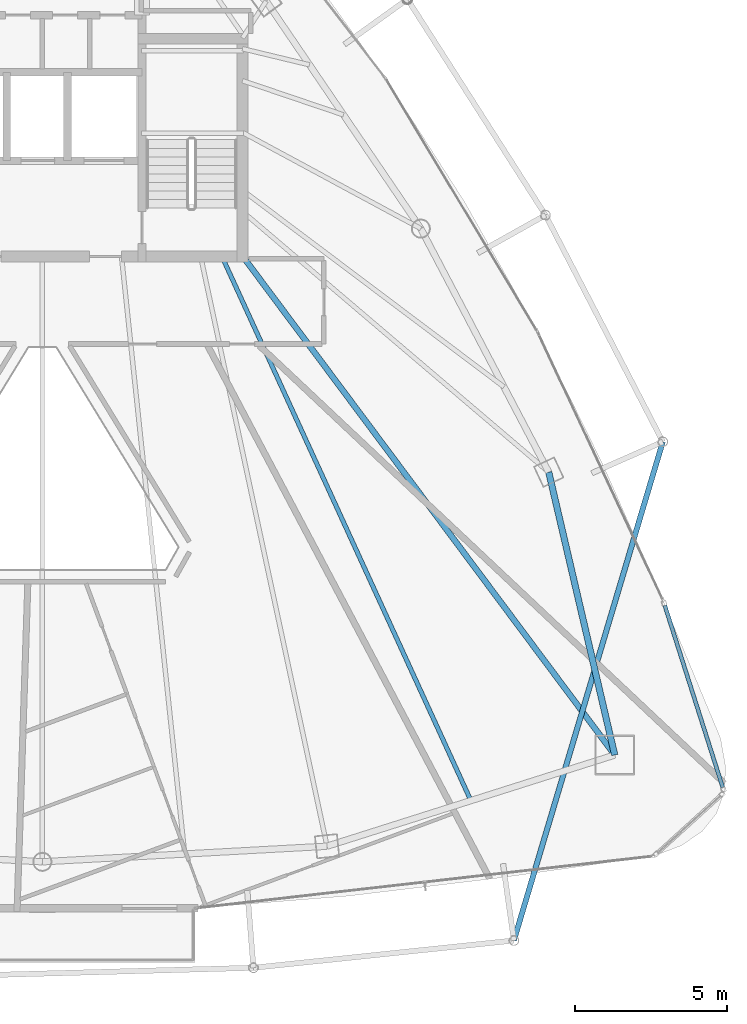
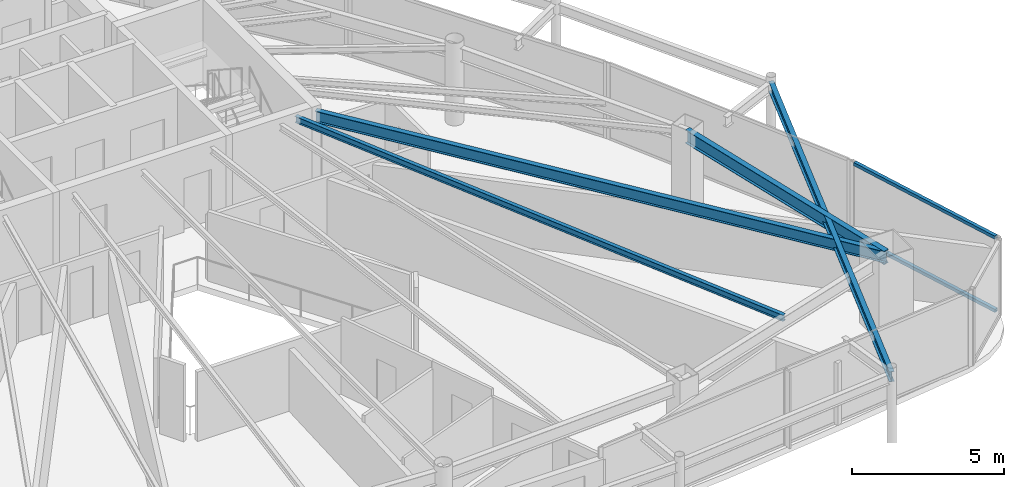
# One storey, part 15 of 29: 4 beams, 2 members, 1 element without a shape of its own.
"""IFC4 building model written with IfcOpenShell, lengths in metres."""

from ifc_helpers import new_model, si_unit, direction, frame, origin, origin_2d, place, context, subcontext, project, spatial, hollow_rectangle, i_section, extrude, material, layer, layer_set, material_profile, profile_set, type_object, element, aggregate, save


model = new_model("IFC4")

# Units and contexts
model_context = context("Model", 3, precision=1e-05, world=origin(), true_north=direction((0.0, 1.0)))
body_context = subcontext(model_context, "Body", "Model", "MODEL_VIEW")
ifc_project = project(units=[si_unit("LENGTHUNIT", "METRE"), si_unit("AREAUNIT", "SQUARE_METRE"), si_unit("VOLUMEUNIT", "CUBIC_METRE"), si_unit("PLANEANGLEUNIT", "RADIAN"), si_unit("MASSUNIT", "GRAM", prefix="KILO")], contexts=[model_context])

# Site, building, storey
site_placement = place(None, origin())
site = spatial("IfcSite", under=ifc_project, at=site_placement, CompositionType="ELEMENT")
building_placement = place(site_placement, origin())
building = spatial("IfcBuilding", under=site, at=building_placement, Name="Orvanel Arch Residences", CompositionType="ELEMENT")
storey_placement = place(building_placement, frame((0.0, 0.0, 243.64990234375)))
storey = spatial("IfcBuildingStorey", under=building, at=storey_placement, Name="L69", CompositionType="ELEMENT", Elevation=243.64990234375)

# Beams
ifc_material_1 = material(Name="Structural steel AS/NZS 3679.1 Grade 300 (300 MPa)", Category="steel")
ifc_material_profile_1 = material_profile(ifc_material_1, i_section(OverallWidth=0.19091796875, OverallDepth=0.4599609375, WebThickness=0.010009765625, FlangeThickness=0.01611328125, at=origin_2d()), Name="460UB82.1")
ifc_profile_set_1 = profile_set([ifc_material_profile_1], Name="Structural steel AS/NZS 3679.1 Grade 300 (300 MPa)")
beam_type_1 = type_object("IfcBeamType", Name="BG-460UB", PredefinedType="BEAM", material=ifc_profile_set_1)
beam_1_placement = place(storey_placement, frame((39.625, 26.675048828125, 2.830078125), z_axis=(0.597893733742, -0.801575375839, 0.0), x_axis=(0.801575375839, 0.597893733742, 0.0)))
element("IfcBeam", 1, at=beam_1_placement, inside=storey, type_object=beam_type_1, Name="L69 South-East Radial Girder", PredefinedType="BEAM", context=body_context, shape_type="SweptSolid", body=[
    extrude(i_section(OverallWidth=0.19091796875, OverallDepth=0.4599609375, WebThickness=0.010009765625, FlangeThickness=0.01611328125, at=origin_2d()), origin(), (0.0, 0.0, 1.0), 20.36474609375),
])
ifc_material_profile_2 = material_profile(ifc_material_1, i_section(OverallWidth=0.14599609375, OverallDepth=0.251953125, WebThickness=0.006103515625, FlangeThickness=0.008544921875, at=origin_2d()), Name="250UB31.4")
ifc_profile_set_2 = profile_set([ifc_material_profile_2], Name="Structural steel AS/NZS 3679.1 Grade 300 (300 MPa)")
beam_type_2 = type_object("IfcBeamType", Name="BJ-250UB", PredefinedType="JOIST", material=ifc_profile_set_2)
beam_2_placement = place(storey_placement, frame((38.89990234375, 26.72509765625, 2.93408203125), z_axis=(0.416009574066, -0.909360233508, 0.0), x_axis=(0.909360233508, 0.416009574066, 0.0)))
element("IfcBeam", 2, at=beam_2_placement, inside=storey, type_object=beam_type_2, Name="L69 JADD2 Wing Floor Joist", PredefinedType="JOIST", context=body_context, shape_type="SweptSolid", body=[
    extrude(i_section(OverallWidth=0.14599609375, OverallDepth=0.251953125, WebThickness=0.006103515625, FlangeThickness=0.008544921875, at=origin_2d()), origin(), (0.0, 0.0, 1.0), 19.653564453125),
])
ifc_material_profile_3 = material_profile(ifc_material_1, i_section(OverallWidth=0.177978515625, OverallDepth=0.406005859375, WebThickness=0.0078125, FlangeThickness=0.0126953125, at=origin_2d()), Name="410UB59.7")
ifc_profile_set_3 = profile_set([ifc_material_profile_3], Name="Structural steel AS/NZS 3679.1 Grade 300 (300 MPa)")
beam_type_3 = type_object("IfcBeamType", Name="OB-410UB-EXT", PredefinedType="SPANDREL", material=ifc_profile_set_3)
beam_3_placement = place(storey_placement, frame((48.488037109375, 4.258056640625, 2.857177734375), z_axis=(0.286129263921, 0.958191027055, 0.0), x_axis=(-0.958191027055, 0.286129263921, 0.0)))
element("IfcBeam", 3, at=beam_3_placement, inside=storey, type_object=beam_type_3, Name="L69 Outer Perimeter Floor Ring Beam 08", PredefinedType="SPANDREL", context=body_context, shape_type="SweptSolid", body=[
    extrude(i_section(OverallWidth=0.177978515625, OverallDepth=0.406005859375, WebThickness=0.0078125, FlangeThickness=0.0126953125, at=origin_2d()), origin(), (0.0, 0.0, 1.0), 17.0966796875),
])
ifc_material_profile_4 = material_profile(ifc_material_1, i_section(OverallWidth=0.208984375, OverallDepth=0.532958984375, WebThickness=0.01025390625, FlangeThickness=0.015625, at=origin_2d()), Name="530UB92.4")
ifc_profile_set_4 = profile_set([ifc_material_profile_4], Name="Structural steel AS/NZS 3679.1 Grade 300 (300 MPa)")
beam_type_4 = type_object("IfcBeamType", Name="SP-530UB", PredefinedType="SPANDREL", material=ifc_profile_set_4)
beam_4_placement = place(storey_placement, frame((51.801025390625, 10.35107421875, 2.794189453125), z_axis=(-0.227236087167, 0.973839699688, 0.0), x_axis=(-0.973839699688, -0.227236087167, 0.0)))
element("IfcBeam", 4, at=beam_4_placement, inside=storey, type_object=beam_type_4, Name="L69 Perimeter Spandrel Beam 06", PredefinedType="SPANDREL", context=body_context, shape_type="SweptSolid", body=[
    extrude(i_section(OverallWidth=0.208984375, OverallDepth=0.532958984375, WebThickness=0.01025390625, FlangeThickness=0.015625, at=origin_2d()), origin(), (0.0, 0.0, 1.0), 9.54052734375),
])

# Curtain wall, members
ifc_material_2 = material(Name="Bronze-anodised aluminium AA6063-T6", Category="aluminium")
ifc_layer = layer(ifc_material_2, 0.18994140625)
ifc_layer_set = layer_set([ifc_layer], Name="Bronze-anodised aluminium AA6063-T6")
curtain_wall_type = type_object("IfcCurtainWallType", Name="CW5-CRN-SYS", PredefinedType="NOTDEFINED", material=ifc_layer_set)
curtain_wall_placement = place(storey_placement, origin())
curtain_wall = element("IfcCurtainWall", 5, at=curtain_wall_placement, inside=storey, type_object=curtain_wall_type, Name="L69 CW5-CRN-SYS Unitised Curtain Wall", PredefinedType="NOTDEFINED")
ifc_material_profile_5 = material_profile(ifc_material_2, hollow_rectangle(XDim=0.1298828125, YDim=0.1298828125, WallThickness=0.00439453125, at=origin_2d()), Name="ALU130x130x4.5")
ifc_profile_set_5 = profile_set([ifc_material_profile_5], Name="Bronze-anodised aluminium AA6063-T6")
member_type = type_object("IfcMemberType", Name="TRN-130x130", PredefinedType="USERDEFINED", material=ifc_profile_set_5)
member_1_placement = place(storey_placement, frame((55.348388671875, 9.288818359375, 0.065185546875), z_axis=(-0.303579838033, 0.952806004358, 0.0), x_axis=(-0.952806004358, -0.303579838033, 0.0)))
member_1 = element("IfcMember", 6, at=member_1_placement, type_object=member_type, Name="CW-S5 transom 1.1", ObjectType="TRANSOM", PredefinedType="USERDEFINED", context=body_context, shape_type="SweptSolid", body=[
    extrude(hollow_rectangle(XDim=0.1298828125, YDim=0.1298828125, WallThickness=0.00439453125, at=origin_2d()), origin(), (0.0, 0.0, 1.0), 6.26806640625),
])
member_2_placement = place(storey_placement, frame((55.348388671875, 9.288818359375, 2.9951171875), z_axis=(-0.303579838033, 0.952806004358, 0.0), x_axis=(-0.952806004358, -0.303579838033, 0.0)))
member_2 = element("IfcMember", 7, at=member_2_placement, type_object=member_type, Name="CW-S5 transom 1.2", ObjectType="TRANSOM", PredefinedType="USERDEFINED", context=body_context, shape_type="SweptSolid", body=[
    extrude(hollow_rectangle(XDim=0.1298828125, YDim=0.1298828125, WallThickness=0.00439453125, at=origin_2d()), origin(), (0.0, 0.0, 1.0), 6.26806640625),
])
aggregate(curtain_wall, [member_1, member_2])

save(model, "model.ifc")
